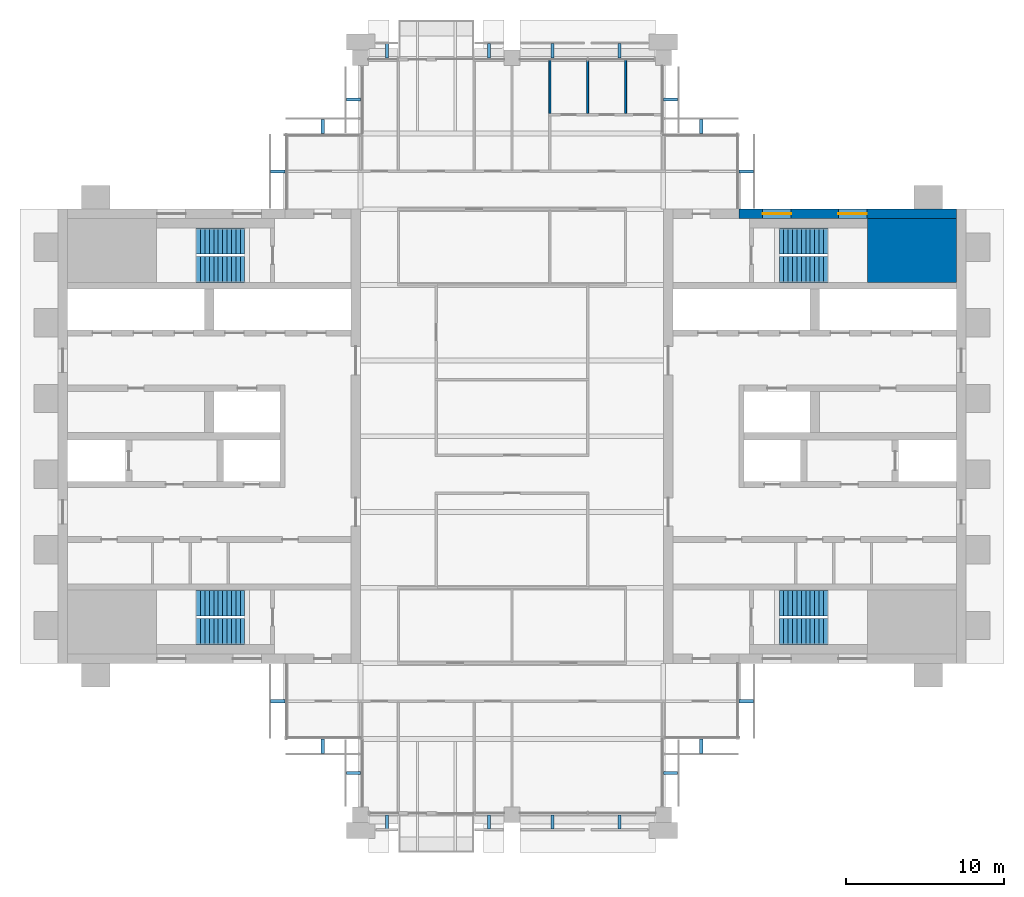
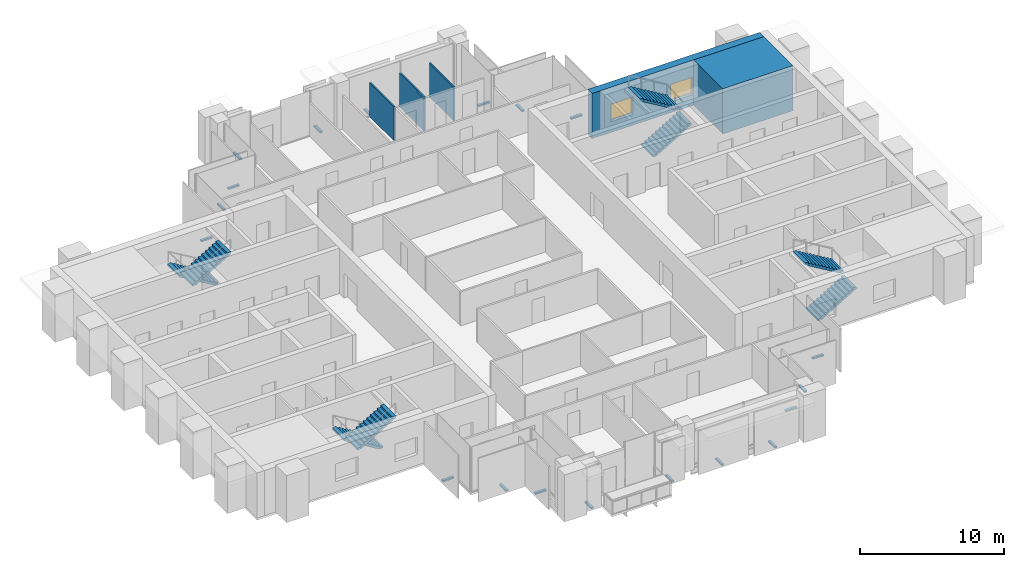
# One storey, part 12 of 13: 20 discrete accessories, 8 stair flights, 5 walls, 2 windows, 2 openings, 4 elements without a shape of their own.
"""IFC4 building model written with IfcOpenShell, lengths in metres."""

from ifc_helpers import new_model, si_unit, direction, frame, frame_2d, origin, origin_2d, place, context, subcontext, project, spatial, polyline, rectangle, outline, extrude, material, layer, layer_set, type_object, element, fill, aggregate, save


model = new_model("IFC4")

# Units and contexts
model_context = context("Model", 3, precision=1e-05, world=origin(), true_north=direction((0.0, 1.0)))
body_context = subcontext(model_context, "Body", "Model", "MODEL_VIEW")
ifc_project = project(units=[si_unit("LENGTHUNIT", "METRE"), si_unit("AREAUNIT", "SQUARE_METRE"), si_unit("VOLUMEUNIT", "CUBIC_METRE"), si_unit("PLANEANGLEUNIT", "RADIAN"), si_unit("MASSUNIT", "GRAM", prefix="KILO")], contexts=[model_context])

# Site, building, storey
site_placement = place(None, origin())
site = spatial("IfcSite", under=ifc_project, at=site_placement, CompositionType="ELEMENT")
building_placement = place(site_placement, origin())
building = spatial("IfcBuilding", under=site, at=building_placement, Name="Baori Bourse Tower", CompositionType="ELEMENT")
storey_placement = place(building_placement, frame((0.0, 0.0, 314.300048828125)))
storey = spatial("IfcBuildingStorey", under=building, at=storey_placement, Name="L69", CompositionType="ELEMENT", Elevation=314.300048828125)

# Wall
ifc_material_1 = material(Name="Concrete f'c 40 MPa", Category="concrete")
wall_type_1 = type_object("IfcWallType", Name="Core corner block f'c 40", PredefinedType="SHEAR", material=ifc_material_1)
wall_1_placement = place(storey_placement, frame((51.35009765625, 35.77490234375, 0.0), z_axis=(0.0, 0.0, 1.0), x_axis=(1.0, 0.0, 0.0)))
element("IfcWall", 1, at=wall_1_placement, inside=storey, type_object=wall_type_1, Name="Core wall E23", PredefinedType="SHEAR", context=body_context, shape_type="SweptSolid", body=[
    extrude(rectangle(XDim=5.64990234375, YDim=4.050048828125, at=frame_2d((2.824951171875, 0.0))), origin(), (0.0, 0.0, 1.0), 3.83984375),
])

# Wall, openings, windows
ifc_material_2 = material(Name="Concrete f'c 40 MPa", Category="concrete")
ifc_layer_1 = layer(ifc_material_2, 0.60009765625)
ifc_layer_set_1 = layer_set([ifc_layer_1], Name="Core wall 600 f'c 40")
wall_type_2 = type_object("IfcWallType", Name="Core wall 600 f'c 40", PredefinedType="SHEAR", material=ifc_layer_set_1)
wall_2_placement = place(storey_placement, frame((43.199951171875, 38.10009765625, 0.0), z_axis=(0.0, 0.0, 1.0), x_axis=(1.0, 0.0, 0.0)))
wall_2 = element("IfcWall", 2, at=wall_2_placement, inside=storey, type_object=wall_type_2, Name="Core wall E26", PredefinedType="SHEAR", context=body_context, shape_type="SweptSolid", body=[
    extrude(rectangle(XDim=13.800048828125, YDim=0.60009765625, at=frame_2d((6.89990234375, 0.0))), origin(), (0.0, 0.0, 1.0), 3.83984375),
])
opening_1_placement = place(wall_2_placement, frame((6.300048828125, 0.0, 0.89990234375)))
opening_1 = element("IfcOpeningElement", 3, at=opening_1_placement, cuts=wall_2, Name="Opening L69-KW205", PredefinedType="OPENING", context=body_context, shape_type="SweptSolid", body=[
    extrude(rectangle(XDim=1.800048828125, YDim=1.5, at=frame_2d((0.89990234375, 0.75))), frame((0.0, 0.31005859375, 0.0), z_axis=(0.0, -1.0, 0.0), x_axis=(1.0, 0.0, 0.0)), (0.0, 0.0, 1.0), 0.6201171875),
])
opening_2_placement = place(wall_2_placement, frame((1.5, 0.0, 0.89990234375)))
opening_2 = element("IfcOpeningElement", 4, at=opening_2_placement, cuts=wall_2, Name="Opening L69-KW206", PredefinedType="OPENING", context=body_context, shape_type="SweptSolid", body=[
    extrude(rectangle(XDim=1.800048828125, YDim=1.5, at=frame_2d((0.89990234375, 0.75))), frame((0.0, 0.31005859375, 0.0), z_axis=(0.0, -1.0, 0.0), x_axis=(1.0, 0.0, 0.0)), (0.0, 0.0, 1.0), 0.6201171875),
])
ifc_material_3 = material(Name="Pale anodised aluminium", Category="aluminium")
window_type = type_object("IfcWindowType", Name="Stair window 1800 x 1500", PartitioningType="SINGLE_PANEL", PredefinedType="WINDOW", material=ifc_material_3)
window_1_placement = place(opening_1_placement, origin())
window_1 = element("IfcWindow", 5, at=window_1_placement, inside=storey, type_object=window_type, Name="Stair window E L69 5", OverallHeight=1.5, OverallWidth=1.800048828125, PartitioningType="SINGLE_PANEL", PredefinedType="WINDOW", context=body_context, shape_type="SweptSolid", body=[
    extrude(rectangle(XDim=1.800048828125, YDim=1.5, at=frame_2d((0.89990234375, 0.75))), frame((0.0, 0.030029296875, 0.0), z_axis=(0.0, -1.0, 0.0), x_axis=(1.0, 0.0, 0.0)), (0.0, 0.0, 1.0), 0.06005859375),
])
fill(opening_1, window_1)
window_2_placement = place(opening_2_placement, origin())
window_2 = element("IfcWindow", 6, at=window_2_placement, inside=storey, type_object=window_type, Name="Stair window E L69 6", OverallHeight=1.5, OverallWidth=1.800048828125, PartitioningType="SINGLE_PANEL", PredefinedType="WINDOW", context=body_context, shape_type="SweptSolid", body=[
    extrude(rectangle(XDim=1.800048828125, YDim=1.5, at=frame_2d((0.89990234375, 0.75))), frame((0.0, 0.030029296875, 0.0), z_axis=(0.0, -1.0, 0.0), x_axis=(1.0, 0.0, 0.0)), (0.0, 0.0, 1.0), 0.06005859375),
])
fill(opening_2, window_2)

# Walls
ifc_material_4 = material(Name="Gypsum board partition")
ifc_layer_2 = layer(ifc_material_4, 0.125)
ifc_layer_set_2 = layer_set([ifc_layer_2], Name="Partition 125")
wall_type_3 = type_object("IfcWallType", Name="Partition 125", PredefinedType="PARTITIONING", material=ifc_layer_set_2)
for number, where, z_axis, x_axis, name in (
    (7, (31.199951171875, 44.47509765625, 0.0), (0.0, 0.0, 1.0), (0.0, 1.0, 0.0), "Partition"),
    (8, (33.60009765625, 44.47509765625, 0.0), (0.0, 0.0, 1.0), (0.0, 1.0, 0.0), "Partition"),
    (9, (36.0, 44.47509765625, 0.0), (0.0, 0.0, 1.0), (0.0, 1.0, 0.0), "Partition"),
):
    element("IfcWall", number, at=place(storey_placement, frame(where, z_axis=z_axis, x_axis=x_axis)), inside=storey, type_object=wall_type_3, Name=name, PredefinedType="PARTITIONING", context=body_context, shape_type="SweptSolid", body=[
        extrude(rectangle(XDim=3.4248046875, YDim=0.125, at=frame_2d((1.71240234375, 0.0))), origin(), (0.0, 0.0, 1.0), 2.86962890625),
    ])

# Stair, stair flights
ifc_material_5 = material(Name="Concrete f'c 50 MPa", Category="concrete")
stair_type = type_object("IfcStairType", Name="Core stair", PredefinedType="HALF_TURN_STAIR", material=ifc_material_5)
stair_1_placement = place(storey_placement, origin())
stair_1 = element("IfcStair", 10, at=stair_1_placement, inside=storey, type_object=stair_type, Name="L69 Stair WA", PredefinedType="HALF_TURN_STAIR")
ifc_material_6 = material(Name="Concrete f'c 50 MPa", Category="concrete")
stair_flight_type = type_object("IfcStairFlightType", Name="Core stair flight", PredefinedType="STRAIGHT", material=ifc_material_6)
stair_flight_1_placement = place(storey_placement, frame((11.85009765625, 13.425048828125, 0.0), z_axis=(0.0, 0.0, 1.0), x_axis=(-1.0, 0.0, 0.0)))
stair_flight_1 = element("IfcStairFlight", 11, at=stair_flight_1_placement, type_object=stair_flight_type, Name="ST1 flight 1", NumberOfRisers=12, NumberOfTreads=11, PredefinedType="STRAIGHT", RiserHeight=0.166666667, TreadLength=0.28, context=body_context, shape_type="SweptSolid", body=[
    extrude(outline(polyline([(0.0, 0.0), (0.0, 0.166748046875), (0.280029296875, 0.166748046875), (0.280029296875, 0.333251953125), (0.56005859375, 0.333251953125), (0.56005859375, 0.5), (0.840087890625, 0.5), (0.840087890625, 0.666748046875), (1.1201171875, 0.666748046875), (1.1201171875, 0.833251953125), (1.39990234375, 0.833251953125), (1.39990234375, 1.0), (1.679931640625, 1.0), (1.679931640625, 1.166748046875), (1.9599609375, 1.166748046875), (1.9599609375, 1.333251953125), (2.239990234375, 1.333251953125), (2.239990234375, 1.5), (2.52001953125, 1.5), (2.52001953125, 1.666748046875), (2.800048828125, 1.666748046875), (2.800048828125, 1.833251953125), (3.080078125, 1.833251953125), (3.080078125, 2.0), (3.080078125, 1.658935546875), (0.29296875, 0.0), (0.0, 0.0)])), frame((0.0, 0.824951171875, 0.0), z_axis=(0.0, -1.0, 0.0), x_axis=(1.0, 0.0, 0.0)), (0.0, 0.0, 1.0), 1.64990234375),
])
stair_flight_2_placement = place(storey_placement, frame((8.77001953125, 11.625, 2.0), z_axis=(0.0, 0.0, 1.0), x_axis=(1.0, 0.0, 0.0)))
stair_flight_2 = element("IfcStairFlight", 12, at=stair_flight_2_placement, type_object=stair_flight_type, Name="ST1 flight 2", NumberOfRisers=12, NumberOfTreads=11, PredefinedType="STRAIGHT", RiserHeight=0.166666667, TreadLength=0.28, context=body_context, shape_type="SweptSolid", body=[
    extrude(outline(polyline([(0.0, 0.0), (0.0, 0.166748046875), (0.280029296875, 0.166748046875), (0.280029296875, 0.333251953125), (0.56005859375, 0.333251953125), (0.56005859375, 0.5), (0.840087890625, 0.5), (0.840087890625, 0.666748046875), (1.1201171875, 0.666748046875), (1.1201171875, 0.833251953125), (1.39990234375, 0.833251953125), (1.39990234375, 1.0), (1.679931640625, 1.0), (1.679931640625, 1.166748046875), (1.9599609375, 1.166748046875), (1.9599609375, 1.333251953125), (2.239990234375, 1.333251953125), (2.239990234375, 1.5), (2.52001953125, 1.5), (2.52001953125, 1.666748046875), (2.800048828125, 1.666748046875), (2.800048828125, 1.833251953125), (3.080078125, 1.833251953125), (3.080078125, 2.0), (3.080078125, 1.658935546875), (0.29296875, 0.0), (0.0, 0.0)])), frame((0.0, 0.824951171875, 0.0), z_axis=(0.0, -1.0, 0.0), x_axis=(1.0, 0.0, 0.0)), (0.0, 0.0, 1.0), 1.64990234375),
])
aggregate(stair_1, [stair_flight_1, stair_flight_2])

stair_2_placement = place(storey_placement, origin())
stair_2 = element("IfcStair", 13, at=stair_2_placement, inside=storey, type_object=stair_type, Name="L69 Stair WB", PredefinedType="HALF_TURN_STAIR")
stair_flight_3_placement = place(storey_placement, frame((11.85009765625, 36.375, 0.0), z_axis=(0.0, 0.0, 1.0), x_axis=(-1.0, 0.0, 0.0)))
stair_flight_3 = element("IfcStairFlight", 14, at=stair_flight_3_placement, type_object=stair_flight_type, Name="ST2 flight 1", NumberOfRisers=12, NumberOfTreads=11, PredefinedType="STRAIGHT", RiserHeight=0.166666667, TreadLength=0.28, context=body_context, shape_type="SweptSolid", body=[
    extrude(outline(polyline([(0.0, 0.0), (0.0, 0.166748046875), (0.280029296875, 0.166748046875), (0.280029296875, 0.333251953125), (0.56005859375, 0.333251953125), (0.56005859375, 0.5), (0.840087890625, 0.5), (0.840087890625, 0.666748046875), (1.1201171875, 0.666748046875), (1.1201171875, 0.833251953125), (1.39990234375, 0.833251953125), (1.39990234375, 1.0), (1.679931640625, 1.0), (1.679931640625, 1.166748046875), (1.9599609375, 1.166748046875), (1.9599609375, 1.333251953125), (2.239990234375, 1.333251953125), (2.239990234375, 1.5), (2.52001953125, 1.5), (2.52001953125, 1.666748046875), (2.800048828125, 1.666748046875), (2.800048828125, 1.833251953125), (3.080078125, 1.833251953125), (3.080078125, 2.0), (3.080078125, 1.658935546875), (0.29296875, 0.0), (0.0, 0.0)])), frame((0.0, 0.824951171875, 0.0), z_axis=(0.0, -1.0, 0.0), x_axis=(1.0, 0.0, 0.0)), (0.0, 0.0, 1.0), 1.64990234375),
])
stair_flight_4_placement = place(storey_placement, frame((8.77001953125, 34.574951171875, 2.0), z_axis=(0.0, 0.0, 1.0), x_axis=(1.0, 0.0, 0.0)))
stair_flight_4 = element("IfcStairFlight", 15, at=stair_flight_4_placement, type_object=stair_flight_type, Name="ST2 flight 2", NumberOfRisers=12, NumberOfTreads=11, PredefinedType="STRAIGHT", RiserHeight=0.166666667, TreadLength=0.28, context=body_context, shape_type="SweptSolid", body=[
    extrude(outline(polyline([(0.0, 0.0), (0.0, 0.166748046875), (0.280029296875, 0.166748046875), (0.280029296875, 0.333251953125), (0.56005859375, 0.333251953125), (0.56005859375, 0.5), (0.840087890625, 0.5), (0.840087890625, 0.666748046875), (1.1201171875, 0.666748046875), (1.1201171875, 0.833251953125), (1.39990234375, 0.833251953125), (1.39990234375, 1.0), (1.679931640625, 1.0), (1.679931640625, 1.166748046875), (1.9599609375, 1.166748046875), (1.9599609375, 1.333251953125), (2.239990234375, 1.333251953125), (2.239990234375, 1.5), (2.52001953125, 1.5), (2.52001953125, 1.666748046875), (2.800048828125, 1.666748046875), (2.800048828125, 1.833251953125), (3.080078125, 1.833251953125), (3.080078125, 2.0), (3.080078125, 1.658935546875), (0.29296875, 0.0), (0.0, 0.0)])), frame((0.0, 0.824951171875, 0.0), z_axis=(0.0, -1.0, 0.0), x_axis=(1.0, 0.0, 0.0)), (0.0, 0.0, 1.0), 1.64990234375),
])
aggregate(stair_2, [stair_flight_3, stair_flight_4])

stair_3_placement = place(storey_placement, origin())
stair_3 = element("IfcStair", 16, at=stair_3_placement, inside=storey, type_object=stair_type, Name="L69 Stair EA", PredefinedType="HALF_TURN_STAIR")
stair_flight_5_placement = place(storey_placement, frame((45.75, 11.625, 0.0), z_axis=(0.0, 0.0, 1.0), x_axis=(1.0, 0.0, 0.0)))
stair_flight_5 = element("IfcStairFlight", 17, at=stair_flight_5_placement, type_object=stair_flight_type, Name="ST3 flight 1", NumberOfRisers=12, NumberOfTreads=11, PredefinedType="STRAIGHT", RiserHeight=0.166666667, TreadLength=0.28, context=body_context, shape_type="SweptSolid", body=[
    extrude(outline(polyline([(0.0, 0.0), (0.0, 0.166748046875), (0.280029296875, 0.166748046875), (0.280029296875, 0.333251953125), (0.56005859375, 0.333251953125), (0.56005859375, 0.5), (0.840087890625, 0.5), (0.840087890625, 0.666748046875), (1.1201171875, 0.666748046875), (1.1201171875, 0.833251953125), (1.39990234375, 0.833251953125), (1.39990234375, 1.0), (1.679931640625, 1.0), (1.679931640625, 1.166748046875), (1.9599609375, 1.166748046875), (1.9599609375, 1.333251953125), (2.239990234375, 1.333251953125), (2.239990234375, 1.5), (2.52001953125, 1.5), (2.52001953125, 1.666748046875), (2.800048828125, 1.666748046875), (2.800048828125, 1.833251953125), (3.080078125, 1.833251953125), (3.080078125, 2.0), (3.080078125, 1.658935546875), (0.29296875, 0.0), (0.0, 0.0)])), frame((0.0, 0.824951171875, 0.0), z_axis=(0.0, -1.0, 0.0), x_axis=(1.0, 0.0, 0.0)), (0.0, 0.0, 1.0), 1.64990234375),
])
stair_flight_6_placement = place(storey_placement, frame((48.830078125, 13.425048828125, 2.0), z_axis=(0.0, 0.0, 1.0), x_axis=(-1.0, 0.0, 0.0)))
stair_flight_6 = element("IfcStairFlight", 18, at=stair_flight_6_placement, type_object=stair_flight_type, Name="ST3 flight 2", NumberOfRisers=12, NumberOfTreads=11, PredefinedType="STRAIGHT", RiserHeight=0.166666667, TreadLength=0.28, context=body_context, shape_type="SweptSolid", body=[
    extrude(outline(polyline([(0.0, 0.0), (0.0, 0.166748046875), (0.280029296875, 0.166748046875), (0.280029296875, 0.333251953125), (0.56005859375, 0.333251953125), (0.56005859375, 0.5), (0.840087890625, 0.5), (0.840087890625, 0.666748046875), (1.1201171875, 0.666748046875), (1.1201171875, 0.833251953125), (1.39990234375, 0.833251953125), (1.39990234375, 1.0), (1.679931640625, 1.0), (1.679931640625, 1.166748046875), (1.9599609375, 1.166748046875), (1.9599609375, 1.333251953125), (2.239990234375, 1.333251953125), (2.239990234375, 1.5), (2.52001953125, 1.5), (2.52001953125, 1.666748046875), (2.800048828125, 1.666748046875), (2.800048828125, 1.833251953125), (3.080078125, 1.833251953125), (3.080078125, 2.0), (3.080078125, 1.658935546875), (0.29296875, 0.0), (0.0, 0.0)])), frame((0.0, 0.824951171875, 0.0), z_axis=(0.0, -1.0, 0.0), x_axis=(1.0, 0.0, 0.0)), (0.0, 0.0, 1.0), 1.64990234375),
])
aggregate(stair_3, [stair_flight_5, stair_flight_6])

stair_4_placement = place(storey_placement, origin())
stair_4 = element("IfcStair", 19, at=stair_4_placement, inside=storey, type_object=stair_type, Name="L69 Stair EB", PredefinedType="HALF_TURN_STAIR")
stair_flight_7_placement = place(storey_placement, frame((45.75, 34.574951171875, 0.0), z_axis=(0.0, 0.0, 1.0), x_axis=(1.0, 0.0, 0.0)))
stair_flight_7 = element("IfcStairFlight", 20, at=stair_flight_7_placement, type_object=stair_flight_type, Name="ST4 flight 1", NumberOfRisers=12, NumberOfTreads=11, PredefinedType="STRAIGHT", RiserHeight=0.166666667, TreadLength=0.28, context=body_context, shape_type="SweptSolid", body=[
    extrude(outline(polyline([(0.0, 0.0), (0.0, 0.166748046875), (0.280029296875, 0.166748046875), (0.280029296875, 0.333251953125), (0.56005859375, 0.333251953125), (0.56005859375, 0.5), (0.840087890625, 0.5), (0.840087890625, 0.666748046875), (1.1201171875, 0.666748046875), (1.1201171875, 0.833251953125), (1.39990234375, 0.833251953125), (1.39990234375, 1.0), (1.679931640625, 1.0), (1.679931640625, 1.166748046875), (1.9599609375, 1.166748046875), (1.9599609375, 1.333251953125), (2.239990234375, 1.333251953125), (2.239990234375, 1.5), (2.52001953125, 1.5), (2.52001953125, 1.666748046875), (2.800048828125, 1.666748046875), (2.800048828125, 1.833251953125), (3.080078125, 1.833251953125), (3.080078125, 2.0), (3.080078125, 1.658935546875), (0.29296875, 0.0), (0.0, 0.0)])), frame((0.0, 0.824951171875, 0.0), z_axis=(0.0, -1.0, 0.0), x_axis=(1.0, 0.0, 0.0)), (0.0, 0.0, 1.0), 1.64990234375),
])
stair_flight_8_placement = place(storey_placement, frame((48.830078125, 36.375, 2.0), z_axis=(0.0, 0.0, 1.0), x_axis=(-1.0, 0.0, 0.0)))
stair_flight_8 = element("IfcStairFlight", 21, at=stair_flight_8_placement, type_object=stair_flight_type, Name="ST4 flight 2", NumberOfRisers=12, NumberOfTreads=11, PredefinedType="STRAIGHT", RiserHeight=0.166666667, TreadLength=0.28, context=body_context, shape_type="SweptSolid", body=[
    extrude(outline(polyline([(0.0, 0.0), (0.0, 0.166748046875), (0.280029296875, 0.166748046875), (0.280029296875, 0.333251953125), (0.56005859375, 0.333251953125), (0.56005859375, 0.5), (0.840087890625, 0.5), (0.840087890625, 0.666748046875), (1.1201171875, 0.666748046875), (1.1201171875, 0.833251953125), (1.39990234375, 0.833251953125), (1.39990234375, 1.0), (1.679931640625, 1.0), (1.679931640625, 1.166748046875), (1.9599609375, 1.166748046875), (1.9599609375, 1.333251953125), (2.239990234375, 1.333251953125), (2.239990234375, 1.5), (2.52001953125, 1.5), (2.52001953125, 1.666748046875), (2.800048828125, 1.666748046875), (2.800048828125, 1.833251953125), (3.080078125, 1.833251953125), (3.080078125, 2.0), (3.080078125, 1.658935546875), (0.29296875, 0.0), (0.0, 0.0)])), frame((0.0, 0.824951171875, 0.0), z_axis=(0.0, -1.0, 0.0), x_axis=(1.0, 0.0, 0.0)), (0.0, 0.0, 1.0), 1.64990234375),
])
aggregate(stair_4, [stair_flight_7, stair_flight_8])

# Discrete accessories
ifc_material_7 = material(Name="Pale anodised aluminium", Category="aluminium")
discrete_accessory_type = type_object("IfcDiscreteAccessoryType", Name="OS2 Outer skin bracket", PredefinedType="BRACKET", material=ifc_material_7)
for number, where, z_axis, x_axis, name in (
    (22, (43.64990234375, 40.800048828125, -0.14404296875), (0.0, 0.0, 1.0), (0.0, 1.0, 0.0), "Outer skin bracket L69 1"),
    (23, (40.800048828125, 43.64990234375, -0.14404296875), (0.0, 0.0, 1.0), (-1.0, 0.0, 0.0), "Outer skin bracket L69 2"),
    (24, (38.85009765625, 45.35009765625, -0.14404296875), (0.0, 0.0, 1.0), (0.0, 1.0, 0.0), "Outer skin bracket L69 3"),
    (25, (35.612548828125, 48.449951171875, -0.14404296875), (0.0, 0.0, 1.0), (-1.0, 0.0, 0.0), "Outer skin bracket L69 4"),
    (26, (31.362548828125, 48.449951171875, -0.14404296875), (0.0, 0.0, 1.0), (-1.0, 0.0, 0.0), "Outer skin bracket L69 5"),
    (27, (27.35009765625, 48.449951171875, -0.14404296875), (0.0, 0.0, 1.0), (-1.0, 0.0, 0.0), "Outer skin bracket L69 6"),
    (28, (20.875, 48.449951171875, -0.14404296875), (0.0, 0.0, 1.0), (-1.0, 0.0, 0.0), "Outer skin bracket L69 7"),
    (29, (18.75, 45.35009765625, -0.14404296875), (0.0, 0.0, 1.0), (0.0, -1.0, 0.0), "Outer skin bracket L69 8"),
    (30, (16.800048828125, 43.64990234375, -0.14404296875), (0.0, 0.0, 1.0), (-1.0, 0.0, 0.0), "Outer skin bracket L69 9"),
    (31, (13.949951171875, 40.800048828125, -0.14404296875), (0.0, 0.0, 1.0), (0.0, -1.0, 0.0), "Outer skin bracket L69 10"),
    (32, (13.949951171875, 7.199951171875, -0.14404296875), (0.0, 0.0, 1.0), (0.0, -1.0, 0.0), "Outer skin bracket L69 11"),
    (33, (16.800048828125, 4.35009765625, -0.14404296875), (0.0, 0.0, 1.0), (1.0, 0.0, 0.0), "Outer skin bracket L69 12"),
    (34, (18.75, 2.64990234375, -0.14404296875), (0.0, 0.0, 1.0), (0.0, -1.0, 0.0), "Outer skin bracket L69 13"),
    (35, (20.875, -0.449951171875, -0.14404296875), (0.0, 0.0, 1.0), (1.0, 0.0, 0.0), "Outer skin bracket L69 14"),
    (36, (27.35009765625, -0.449951171875, -0.14404296875), (0.0, 0.0, 1.0), (1.0, 0.0, 0.0), "Outer skin bracket L69 15"),
    (37, (31.362548828125, -0.449951171875, -0.14404296875), (0.0, 0.0, 1.0), (1.0, 0.0, 0.0), "Outer skin bracket L69 16"),
    (38, (35.612548828125, -0.449951171875, -0.14404296875), (0.0, 0.0, 1.0), (1.0, 0.0, 0.0), "Outer skin bracket L69 17"),
    (39, (38.85009765625, 2.64990234375, -0.14404296875), (0.0, 0.0, 1.0), (0.0, 1.0, 0.0), "Outer skin bracket L69 18"),
    (40, (40.800048828125, 4.35009765625, -0.14404296875), (0.0, 0.0, 1.0), (1.0, 0.0, 0.0), "Outer skin bracket L69 19"),
    (41, (43.64990234375, 7.199951171875, -0.14404296875), (0.0, 0.0, 1.0), (0.0, 1.0, 0.0), "Outer skin bracket L69 20"),
):
    element("IfcDiscreteAccessory", number, at=place(storey_placement, frame(where, z_axis=z_axis, x_axis=x_axis)), inside=storey, type_object=discrete_accessory_type, Name=name, PredefinedType="BRACKET", context=body_context, shape_type="SweptSolid", body=[
        extrude(rectangle(XDim=0.199951171875, YDim=0.89990234375, at=origin_2d()), origin(), (0.0, 0.0, 1.0), 0.1279296875),
    ])

save(model, "model.ifc")
